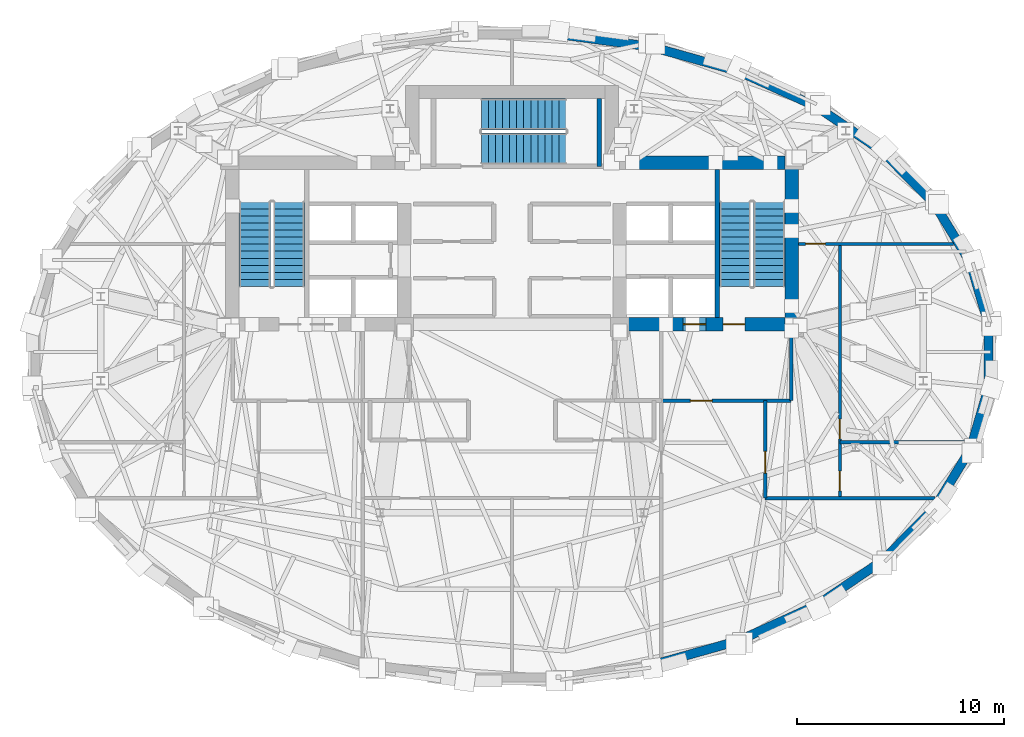
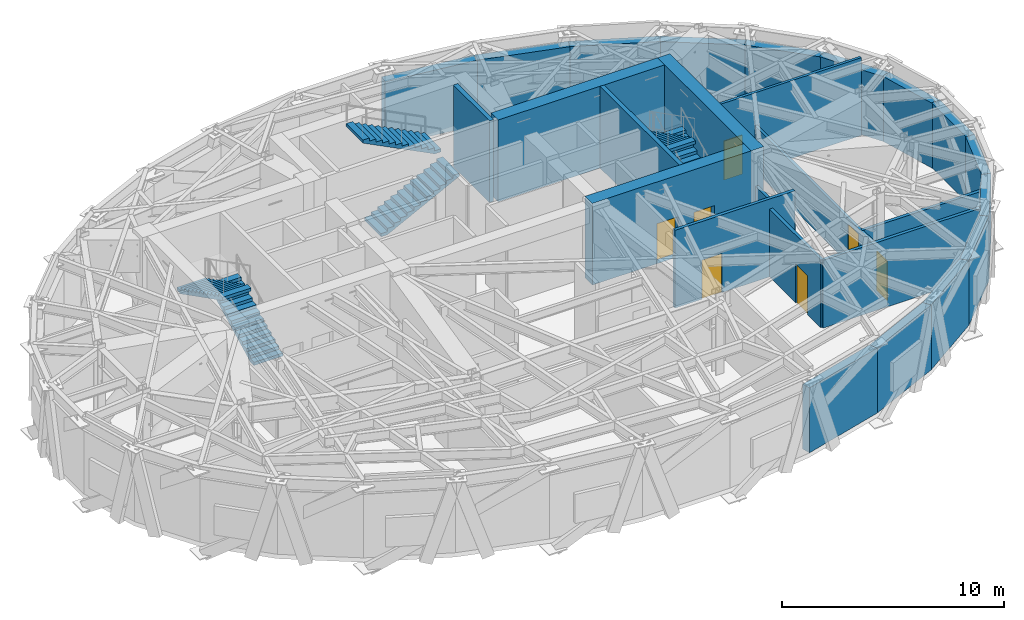
# One storey, part 8 of 12: 26 walls, 7 doors, 6 stair flights, 7 openings, 3 elements without a shape of their own.
"""IFC4 building model written with IfcOpenShell, lengths in metres."""

from ifc_helpers import new_model, si_unit, direction, frame, frame_2d, origin, place, context, subcontext, project, spatial, polyline, rectangle, outline, extrude, material, layer, layer_set, type_object, element, fill, aggregate, save


model = new_model("IFC4")

# Units and contexts
model_context = context("Model", 3, precision=1e-05, world=origin(), true_north=direction((0.0, 1.0)))
body_context = subcontext(model_context, "Body", "Model", "MODEL_VIEW")
ifc_project = project(units=[si_unit("LENGTHUNIT", "METRE"), si_unit("AREAUNIT", "SQUARE_METRE"), si_unit("VOLUMEUNIT", "CUBIC_METRE"), si_unit("PLANEANGLEUNIT", "RADIAN"), si_unit("MASSUNIT", "GRAM", prefix="KILO")], contexts=[model_context])

# Site, building, storey
site_placement = place(None, origin())
site = spatial("IfcSite", under=ifc_project, at=site_placement, CompositionType="ELEMENT")
building_placement = place(site_placement, origin())
building = spatial("IfcBuilding", under=site, at=building_placement, Name="Keldmark Tower", CompositionType="ELEMENT")
storey_placement = place(building_placement, frame((0.0, 0.0, 201.39990234375)))
storey = spatial("IfcBuildingStorey", under=building, at=storey_placement, Name="L56", CompositionType="ELEMENT", Elevation=201.39990234375)

# Wall, openings, doors
ifc_material_1 = material(Name="Acoustic Double-Layer Gypsum Corridor Partition", Category="gypsum")
ifc_layer_1 = layer(ifc_material_1, 0.139892578125)
ifc_layer_set_1 = layer_set([ifc_layer_1], Name="Acoustic Double-Layer Gypsum Corridor Partition")
wall_type_1 = type_object("IfcWallType", Name="Acoustic Corridor Partition 140 mm", PredefinedType="PARTITIONING", material=ifc_layer_set_1)
wall_1_placement = place(storey_placement, frame((15.800048828125, -6.85009765625, 0.0), z_axis=(0.0, 0.0, 1.0), x_axis=(0.0, 1.0, 0.0)))
wall_1 = element("IfcWall", 1, at=wall_1_placement, inside=storey, type_object=wall_type_1, Name="L56 Acoustic Corridor Partition 140 mm PCOR-E", PredefinedType="PARTITIONING", context=body_context, shape_type="SweptSolid", body=[
    extrude(rectangle(XDim=12.25, YDim=0.139892578125, at=frame_2d((6.125, 0.0))), origin(), (0.0, 0.0, 1.0), 2.47021484375),
])
opening_1_placement = place(wall_1_placement, frame((0.35009765625, 0.0, 0.0)))
opening_1 = element("IfcOpeningElement", 2, at=opening_1_placement, cuts=wall_1, Name="Opening D-AWC95", PredefinedType="OPENING", context=body_context, shape_type="SweptSolid", body=[
    extrude(rectangle(XDim=0.949951171875, YDim=2.14990234375, at=frame_2d((0.47509765625, 1.074951171875))), frame((0.0, 0.079833984375, 0.0), z_axis=(0.0, -1.0, 0.0), x_axis=(1.0, 0.0, 0.0)), (0.0, 0.0, 1.0), 0.159912109375),
])
opening_2_placement = place(wall_1_placement, frame((2.860107421875, 0.0, 0.0)))
opening_2 = element("IfcOpeningElement", 3, at=opening_2_placement, cuts=wall_1, Name="Opening D-AWC95", PredefinedType="OPENING", context=body_context, shape_type="SweptSolid", body=[
    extrude(rectangle(XDim=0.949951171875, YDim=2.14990234375, at=frame_2d((0.47509765625, 1.074951171875))), frame((0.0, 0.079833984375, 0.0), z_axis=(0.0, -1.0, 0.0), x_axis=(1.0, 0.0, 0.0)), (0.0, 0.0, 1.0), 0.159912109375),
])
ifc_material_2 = material(Name="Painted Solid-Core Architectural Wood", Category="wood")
door_type_1 = type_object("IfcDoorType", Name="Accessible WC Door 950x2150", OperationType="NOTDEFINED", PredefinedType="DOOR", material=ifc_material_2)
door_1_placement = place(opening_1_placement, origin())
door_1 = element("IfcDoor", 4, at=door_1_placement, inside=storey, type_object=door_type_1, Name="L56 Accessible WC Door 950x2150 D-PLE1-L56", OperationType="SINGLE_SWING_RIGHT", OverallHeight=2.14990234375, OverallWidth=0.949951171875, PredefinedType="DOOR", context=body_context, shape_type="SweptSolid", body=[
    extrude(rectangle(XDim=0.949951171875, YDim=2.14990234375, at=frame_2d((0.47509765625, 1.074951171875))), frame((0.0, 0.02490234375, 0.0), z_axis=(0.0, -1.0, 0.0), x_axis=(1.0, 0.0, 0.0)), (0.0, 0.0, 1.0), 0.050048828125),
])
fill(opening_1, door_1)
door_2_placement = place(opening_2_placement, origin())
door_2 = element("IfcDoor", 5, at=door_2_placement, inside=storey, type_object=door_type_1, Name="L56 Accessible WC Door 950x2150 D-PLE2-L56", OperationType="SINGLE_SWING_RIGHT", OverallHeight=2.14990234375, OverallWidth=0.949951171875, PredefinedType="DOOR", context=body_context, shape_type="SweptSolid", body=[
    extrude(rectangle(XDim=0.949951171875, YDim=2.14990234375, at=frame_2d((0.47509765625, 1.074951171875))), frame((0.0, 0.02490234375, 0.0), z_axis=(0.0, -1.0, 0.0), x_axis=(1.0, 0.0, 0.0)), (0.0, 0.0, 1.0), 0.050048828125),
])
fill(opening_2, door_2)

# Wall, opening, door
wall_2_placement = place(storey_placement, frame((13.800048828125, 5.39990234375, 0.0), z_axis=(0.0, 0.0, 1.0), x_axis=(1.0, 0.0, 0.0)))
wall_2 = element("IfcWall", 6, at=wall_2_placement, inside=storey, type_object=wall_type_1, Name="L56 Acoustic Corridor Partition 140 mm PCOR-EN", PredefinedType="PARTITIONING", context=body_context, shape_type="SweptSolid", body=[
    extrude(rectangle(XDim=7.474853515625, YDim=0.139892578125, at=frame_2d((3.7373046875, 0.0))), origin(), (0.0, 0.0, 1.0), 4.280029296875),
])
opening_3_placement = place(wall_2_placement, frame((0.35009765625, 0.0, 0.0)))
opening_3 = element("IfcOpeningElement", 7, at=opening_3_placement, cuts=wall_2, Name="Opening D-AWC95", PredefinedType="OPENING", context=body_context, shape_type="SweptSolid", body=[
    extrude(rectangle(XDim=0.949951171875, YDim=2.14990234375, at=frame_2d((0.47509765625, 1.074951171875))), frame((0.0, 0.079833984375, 0.0), z_axis=(0.0, -1.0, 0.0), x_axis=(1.0, 0.0, 0.0)), (0.0, 0.0, 1.0), 0.159912109375),
])
door_3_placement = place(opening_3_placement, origin())
door_3 = element("IfcDoor", 8, at=door_3_placement, inside=storey, type_object=door_type_1, Name="L56 Accessible WC Door 950x2150 D-NRNE-L56", OperationType="SINGLE_SWING_RIGHT", OverallHeight=2.14990234375, OverallWidth=0.949951171875, PredefinedType="DOOR", context=body_context, shape_type="SweptSolid", body=[
    extrude(rectangle(XDim=0.949951171875, YDim=2.14990234375, at=frame_2d((0.47509765625, 1.074951171875))), frame((0.0, 0.02490234375, 0.0), z_axis=(0.0, -1.0, 0.0), x_axis=(1.0, 0.0, 0.0)), (0.0, 0.0, 1.0), 0.050048828125),
])
fill(opening_3, door_3)

ifc_material_3 = material(Name="Type X Fire-Rated Gypsum Partition Assembly", Category="gypsum")
ifc_layer_2 = layer(ifc_material_3, 0.1650390625)
ifc_layer_set_2 = layer_set([ifc_layer_2], Name="Type X Fire-Rated Gypsum Partition Assembly")
wall_type_2 = type_object("IfcWallType", Name="Rated Partition 165 mm", PredefinedType="PARTITIONING", material=ifc_layer_set_2)
wall_3_placement = place(storey_placement, frame((7.199951171875, -2.14990234375, 0.0), z_axis=(0.0, 0.0, 1.0), x_axis=(1.0, 0.0, 0.0)))
wall_3 = element("IfcWall", 9, at=wall_3_placement, inside=storey, type_object=wall_type_2, Name="L56 Rated Partition 165 mm FSAE-E-S", PredefinedType="PARTITIONING", context=body_context, shape_type="SweptSolid", body=[
    extrude(rectangle(XDim=6.25, YDim=0.1650390625, at=frame_2d((3.125, 0.0))), origin(), (0.0, 0.0, 1.0), 4.280029296875),
])
opening_4_placement = place(wall_3_placement, frame((1.39990234375, 0.0, 0.0)))
opening_4 = element("IfcOpeningElement", 10, at=opening_4_placement, cuts=wall_3, Name="Opening D-FL105", PredefinedType="OPENING", context=body_context, shape_type="SweptSolid", body=[
    extrude(rectangle(XDim=1.050048828125, YDim=2.14990234375, at=frame_2d((0.52490234375, 1.074951171875))), frame((0.0, 0.092529296875, 0.0), z_axis=(0.0, -1.0, 0.0), x_axis=(1.0, 0.0, 0.0)), (0.0, 0.0, 1.0), 0.18505859375),
])
ifc_material_4 = material(Name="Fire-Rated Mineral-Core Door and Vision Lite", Category="metal")
door_type_2 = type_object("IfcDoorType", Name="Fire Lobby Door 1050x2150", OperationType="NOTDEFINED", PredefinedType="DOOR", material=ifc_material_4)
door_4_placement = place(opening_4_placement, origin())
door_4 = element("IfcDoor", 11, at=door_4_placement, inside=storey, type_object=door_type_2, Name="L56 Fire Lobby Door 1050x2150 D-REFE-FSAE-L56", OperationType="SINGLE_SWING_RIGHT", OverallHeight=2.14990234375, OverallWidth=1.050048828125, PredefinedType="DOOR", context=body_context, shape_type="SweptSolid", body=[
    extrude(rectangle(XDim=1.050048828125, YDim=2.14990234375, at=frame_2d((0.52490234375, 1.074951171875))), frame((0.0, 0.02490234375, 0.0), z_axis=(0.0, -1.0, 0.0), x_axis=(1.0, 0.0, 0.0)), (0.0, 0.0, 1.0), 0.050048828125),
])
fill(opening_4, door_4)

# Wall
wall_4_placement = place(storey_placement, frame((13.449951171875, -2.14990234375, 0.0), z_axis=(0.0, 0.0, 1.0), x_axis=(0.0, 1.0, 0.0)))
element("IfcWall", 12, at=wall_4_placement, inside=storey, type_object=wall_type_2, Name="L56 Rated Partition 165 mm FSAE-E-E", PredefinedType="PARTITIONING", context=body_context, shape_type="SweptSolid", body=[
    extrude(rectangle(XDim=3.39990234375, YDim=0.1650390625, at=frame_2d((1.699951171875, 0.0))), origin(), (0.0, 0.0, 1.0), 2.47021484375),
])

# Wall, opening, door
wall_5_placement = place(storey_placement, frame((12.199951171875, -6.85009765625, 0.0), z_axis=(0.0, 0.0, 1.0), x_axis=(0.0, 1.0, 0.0)))
wall_5 = element("IfcWall", 13, at=wall_5_placement, inside=storey, type_object=wall_type_2, Name="L56 Rated Partition 165 mm REF-ET-E", PredefinedType="PARTITIONING", context=body_context, shape_type="SweptSolid", body=[
    extrude(rectangle(XDim=4.7001953125, YDim=0.1650390625, at=frame_2d((2.35009765625, 0.0))), origin(), (0.0, 0.0, 1.0), 3.733154296875),
])
opening_5_placement = place(wall_5_placement, frame((1.199951171875, 0.0, 0.0)))
opening_5 = element("IfcOpeningElement", 14, at=opening_5_placement, cuts=wall_5, Name="Opening D-FL105", PredefinedType="OPENING", context=body_context, shape_type="SweptSolid", body=[
    extrude(rectangle(XDim=1.050048828125, YDim=2.14990234375, at=frame_2d((0.52490234375, 1.074951171875))), frame((0.0, 0.092529296875, 0.0), z_axis=(0.0, -1.0, 0.0), x_axis=(1.0, 0.0, 0.0)), (0.0, 0.0, 1.0), 0.18505859375),
])
door_5_placement = place(opening_5_placement, origin())
door_5 = element("IfcDoor", 15, at=door_5_placement, inside=storey, type_object=door_type_2, Name="L56 Fire Lobby Door 1050x2150 D-REFE-CORE-L56", OperationType="SINGLE_SWING_RIGHT", OverallHeight=2.14990234375, OverallWidth=1.050048828125, PredefinedType="DOOR", context=body_context, shape_type="SweptSolid", body=[
    extrude(rectangle(XDim=1.050048828125, YDim=2.14990234375, at=frame_2d((0.52490234375, 1.074951171875))), frame((0.0, 0.02490234375, 0.0), z_axis=(0.0, -1.0, 0.0), x_axis=(1.0, 0.0, 0.0)), (0.0, 0.0, 1.0), 0.050048828125),
])
fill(opening_5, door_5)

# Walls
wall_6_placement = place(storey_placement, frame((12.199951171875, -6.85009765625, 0.0), z_axis=(0.0, 0.0, 1.0), x_axis=(1.0, 0.0, 0.0)))
element("IfcWall", 16, at=wall_6_placement, inside=storey, type_object=wall_type_2, Name="L56 Rated Partition 165 mm REF-CAP-E", PredefinedType="PARTITIONING", context=body_context, shape_type="SweptSolid", body=[
    extrude(rectangle(XDim=8.189208984375, YDim=0.1650390625, at=frame_2d((4.0947265625, 0.0))), origin(), (0.0, 0.0, 1.0), 3.733154296875),
])
wall_7_placement = place(storey_placement, frame((15.800048828125, -4.14990234375, 0.0), z_axis=(0.0, 0.0, 1.0), x_axis=(1.0, 0.0, 0.0)))
element("IfcWall", 17, at=wall_7_placement, inside=storey, type_object=wall_type_2, Name="L56 Rated Partition 165 mm EPL-DIV", PredefinedType="PARTITIONING", context=body_context, shape_type="SweptSolid", body=[
    extrude(rectangle(XDim=6.157958984375, YDim=0.1650390625, at=frame_2d((3.0791015625, 0.0))), origin(), (0.0, 0.0, 1.0), 2.47021484375),
])
ifc_material_5 = material(Name="Concrete C50/60", Category="concrete")
ifc_layer_3 = layer(ifc_material_5, 0.219970703125)
ifc_layer_set_3 = layer_set([ifc_layer_3], Name="Concrete C50/60")
wall_type_3 = type_object("IfcWallType", Name="Stair Core Shear Wall 220 mm", PredefinedType="SHEAR", material=ifc_layer_set_3)
wall_8_placement = place(storey_placement, frame((9.889892578125, 1.85009765625, 0.0), z_axis=(0.0, 0.0, 1.0), x_axis=(0.0, 1.0, 0.0)))
element("IfcWall", 18, at=wall_8_placement, inside=storey, type_object=wall_type_3, Name="L56 East Stair Core Shear Wall", PredefinedType="SHEAR", context=body_context, shape_type="SweptSolid", body=[
    extrude(rectangle(XDim=7.14990234375, YDim=0.219970703125, at=frame_2d((3.574951171875, 0.0))), origin(), (0.0, 0.0, 1.0), 4.5),
])
wall_9_placement = place(storey_placement, frame((4.215087890625, 9.139892578125, 0.0), z_axis=(0.0, 0.0, 1.0), x_axis=(0.0, 1.0, 0.0)))
element("IfcWall", 19, at=wall_9_placement, inside=storey, type_object=wall_type_3, Name="L56 Central Stair Core East Shear Wall", PredefinedType="SHEAR", context=body_context, shape_type="SweptSolid", body=[
    extrude(rectangle(XDim=3.260009765625, YDim=0.219970703125, at=frame_2d((1.6298828125, 0.0))), origin(), (0.0, 0.0, 1.0), 4.5),
])
ifc_material_6 = material(Name="Ironspot Manganese Brick and Kasota Buff Limestone Spandrel Assembly", Category="masonry")
ifc_layer_4 = layer(ifc_material_6, 0.43994140625)
ifc_layer_set_4 = layer_set([ifc_layer_4], Name="Ironspot Manganese Brick and Kasota Buff Limestone Spandrel Assembly")
wall_type_4 = type_object("IfcWallType", Name="Tower Brick Pier and Spandrel Wall 440 mm", PredefinedType="STANDARD", material=ifc_layer_set_4)
wall_10_placement = place(storey_placement, frame((22.085693359375, 4.524658203125, 0.0), z_axis=(0.0, 0.0, 1.0), x_axis=(0.281477355005, -0.959567870773, 0.0)))
element("IfcWall", 20, at=wall_10_placement, inside=storey, type_object=wall_type_4, Name="L56 Exterior Brick and Spandrel Wall 01", PredefinedType="STANDARD", context=body_context, shape_type="SweptSolid", body=[
    extrude(rectangle(XDim=3.165771484375, YDim=0.43994140625, at=frame_2d((1.5830078125, 0.0))), origin(), (0.0, 0.0, 1.0), 3.5751953125),
])
wall_11_placement = place(storey_placement, frame((20.361083984375, 7.33349609375, 0.0), z_axis=(0.0, 0.0, 1.0), x_axis=(0.521214394333, -0.853425775999, 0.0)))
element("IfcWall", 21, at=wall_11_placement, inside=storey, type_object=wall_type_4, Name="L56 Exterior Brick and Spandrel Wall 02", PredefinedType="STANDARD", context=body_context, shape_type="SweptSolid", body=[
    extrude(rectangle(XDim=3.353271484375, YDim=0.43994140625, at=frame_2d((1.6767578125, 0.0))), origin(), (0.0, 0.0, 1.0), 3.5751953125),
])
wall_12_placement = place(storey_placement, frame((17.8544921875, 9.868896484375, 0.0), z_axis=(0.0, 0.0, 1.0), x_axis=(0.701887992659, -0.712287333708, 0.0)))
element("IfcWall", 22, at=wall_12_placement, inside=storey, type_object=wall_type_4, Name="L56 Exterior Brick and Spandrel Wall 03", PredefinedType="STANDARD", context=body_context, shape_type="SweptSolid", body=[
    extrude(rectangle(XDim=3.615478515625, YDim=0.43994140625, at=frame_2d((1.8076171875, 0.0))), origin(), (0.0, 0.0, 1.0), 3.5751953125),
])
wall_13_placement = place(storey_placement, frame((14.657958984375, 12.031494140625, 0.0), z_axis=(0.0, 0.0, 1.0), x_axis=(0.827644957237, -0.561252015373, 0.0)))
element("IfcWall", 23, at=wall_13_placement, inside=storey, type_object=wall_type_4, Name="L56 Exterior Brick and Spandrel Wall 04", PredefinedType="STANDARD", context=body_context, shape_type="SweptSolid", body=[
    extrude(rectangle(XDim=3.90234375, YDim=0.43994140625, at=frame_2d((1.951171875, 0.0))), origin(), (0.0, 0.0, 1.0), 3.5751953125),
])
wall_14_placement = place(storey_placement, frame((10.892578125, 13.73388671875, 0.0), z_axis=(0.0, 0.0, 1.0), x_axis=(0.910881102331, -0.412668895624, 0.0)))
element("IfcWall", 24, at=wall_14_placement, inside=storey, type_object=wall_type_4, Name="L56 Exterior Brick and Spandrel Wall 05", PredefinedType="STANDARD", context=body_context, shape_type="SweptSolid", body=[
    extrude(rectangle(XDim=4.169677734375, YDim=0.43994140625, at=frame_2d((2.0849609375, 0.0))), origin(), (0.0, 0.0, 1.0), 3.5751953125),
])
wall_15_placement = place(storey_placement, frame((6.7041015625, 14.907958984375, 0.0), z_axis=(0.0, 0.0, 1.0), x_axis=(0.962743881764, -0.270414899969, 0.0)))
element("IfcWall", 25, at=wall_15_placement, inside=storey, type_object=wall_type_4, Name="L56 Exterior Brick and Spandrel Wall 06", PredefinedType="STANDARD", context=body_context, shape_type="SweptSolid", body=[
    extrude(rectangle(XDim=4.38330078125, YDim=0.43994140625, at=frame_2d((2.191650390625, 0.0))), origin(), (0.0, 0.0, 1.0), 3.5751953125),
])
wall_16_placement = place(storey_placement, frame((2.25439453125, 15.505859375, 0.0), z_axis=(0.0, 0.0, 1.0), x_axis=(0.991025333234, -0.133674189316, 0.0)))
element("IfcWall", 26, at=wall_16_placement, inside=storey, type_object=wall_type_4, Name="L56 Exterior Brick and Spandrel Wall 07", PredefinedType="STANDARD", context=body_context, shape_type="SweptSolid", body=[
    extrude(rectangle(XDim=4.520263671875, YDim=0.43994140625, at=frame_2d((2.26025390625, 0.0))), origin(), (0.0, 0.0, 1.0), 3.5751953125),
])
wall_17_placement = place(storey_placement, frame((10.924072265625, -13.72265625, 0.0), z_axis=(0.0, 0.0, 1.0), x_axis=(-0.962743881764, -0.270414899969, 0.0)))
element("IfcWall", 27, at=wall_17_placement, inside=storey, type_object=wall_type_4, Name="L56 Exterior Brick and Spandrel Wall 26", PredefinedType="STANDARD", context=body_context, shape_type="SweptSolid", body=[
    extrude(rectangle(XDim=4.38330078125, YDim=0.43994140625, at=frame_2d((2.191650390625, 0.0))), origin(), (0.0, 0.0, 1.0), 3.5751953125),
])
wall_18_placement = place(storey_placement, frame((14.690673828125, -12.01318359375, 0.0), z_axis=(0.0, 0.0, 1.0), x_axis=(-0.910881102331, -0.412668895624, 0.0)))
element("IfcWall", 28, at=wall_18_placement, inside=storey, type_object=wall_type_4, Name="L56 Exterior Brick and Spandrel Wall 27", PredefinedType="STANDARD", context=body_context, shape_type="SweptSolid", body=[
    extrude(rectangle(XDim=4.169677734375, YDim=0.43994140625, at=frame_2d((2.0849609375, 0.0))), origin(), (0.0, 0.0, 1.0), 3.5751953125),
])
wall_19_placement = place(storey_placement, frame((17.8876953125, -9.84130859375, 0.0), z_axis=(0.0, 0.0, 1.0), x_axis=(-0.827644957237, -0.561252015373, 0.0)))
element("IfcWall", 29, at=wall_19_placement, inside=storey, type_object=wall_type_4, Name="L56 Exterior Brick and Spandrel Wall 28", PredefinedType="STANDARD", context=body_context, shape_type="SweptSolid", body=[
    extrude(rectangle(XDim=3.90234375, YDim=0.43994140625, at=frame_2d((1.951171875, 0.0))), origin(), (0.0, 0.0, 1.0), 3.5751953125),
])
wall_20_placement = place(storey_placement, frame((20.39208984375, -7.293701171875, 0.0), z_axis=(0.0, 0.0, 1.0), x_axis=(-0.701887992659, -0.712287333708, 0.0)))
element("IfcWall", 30, at=wall_20_placement, inside=storey, type_object=wall_type_4, Name="L56 Exterior Brick and Spandrel Wall 29", PredefinedType="STANDARD", context=body_context, shape_type="SweptSolid", body=[
    extrude(rectangle(XDim=3.615478515625, YDim=0.43994140625, at=frame_2d((1.8076171875, 0.0))), origin(), (0.0, 0.0, 1.0), 3.5751953125),
])
wall_21_placement = place(storey_placement, frame((22.10888671875, -4.4716796875, 0.0), z_axis=(0.0, 0.0, 1.0), x_axis=(-0.521214394333, -0.853425775999, 0.0)))
element("IfcWall", 31, at=wall_21_placement, inside=storey, type_object=wall_type_4, Name="L56 Exterior Brick and Spandrel Wall 30", PredefinedType="STANDARD", context=body_context, shape_type="SweptSolid", body=[
    extrude(rectangle(XDim=3.353271484375, YDim=0.43994140625, at=frame_2d((1.6767578125, 0.0))), origin(), (0.0, 0.0, 1.0), 3.5751953125),
])
wall_22_placement = place(storey_placement, frame((22.976806640625, -1.48681640625, 0.0), z_axis=(0.0, 0.0, 1.0), x_axis=(-0.281477355005, -0.959567870773, 0.0)))
element("IfcWall", 32, at=wall_22_placement, inside=storey, type_object=wall_type_4, Name="L56 Exterior Brick and Spandrel Wall 31", PredefinedType="STANDARD", context=body_context, shape_type="SweptSolid", body=[
    extrude(rectangle(XDim=3.165771484375, YDim=0.43994140625, at=frame_2d((1.5830078125, 0.0))), origin(), (0.0, 0.0, 1.0), 3.5751953125),
])
wall_23_placement = place(storey_placement, frame((22.9677734375, 1.548583984375, 0.0), z_axis=(0.0, 0.0, 1.0), x_axis=(0.0, -1.0, 0.0)))
element("IfcWall", 33, at=wall_23_placement, inside=storey, type_object=wall_type_4, Name="L56 Exterior Brick and Spandrel Wall 32", PredefinedType="STANDARD", context=body_context, shape_type="SweptSolid", body=[
    extrude(rectangle(XDim=3.09716796875, YDim=0.43994140625, at=frame_2d((1.548583984375, 0.0))), origin(), (0.0, 0.0, 1.0), 3.5751953125),
])
ifc_material_7 = material(Name="Concrete C50/60", Category="concrete")
ifc_layer_5 = layer(ifc_material_7, 0.64990234375)
ifc_layer_set_5 = layer_set([ifc_layer_5], Name="Concrete C50/60")
wall_type_5 = type_object("IfcWallType", Name="Upper-Mid Core Shear Wall 650 mm", PredefinedType="SHEAR", material=ifc_layer_set_5)
wall_24_placement = place(storey_placement, frame((13.47509765625, 1.199951171875, 0.0), z_axis=(0.0, 0.0, 1.0), x_axis=(0.0, 1.0, 0.0)))
element("IfcWall", 34, at=wall_24_placement, inside=storey, type_object=wall_type_5, Name="L56 East Core Outer Shear Wall", PredefinedType="SHEAR", context=body_context, shape_type="SweptSolid", body=[
    extrude(rectangle(XDim=8.449951171875, YDim=0.64990234375, at=frame_2d((4.22509765625, 0.0))), origin(), (0.0, 0.0, 1.0), 4.5),
])
wall_25_placement = place(storey_placement, frame((4.47509765625, 9.324951171875, 0.0), z_axis=(0.0, 0.0, 1.0), x_axis=(1.0, 0.0, 0.0)))
element("IfcWall", 35, at=wall_25_placement, inside=storey, type_object=wall_type_5, Name="L56 East Core North Shear Wall", PredefinedType="SHEAR", context=body_context, shape_type="SweptSolid", body=[
    extrude(rectangle(XDim=9.324951171875, YDim=0.64990234375, at=frame_2d((4.66259765625, 0.0))), origin(), (0.0, 0.0, 1.0), 4.5),
])

# Wall, openings, doors
wall_26_placement = place(storey_placement, frame((13.800048828125, 1.52490234375, 0.0), z_axis=(0.0, 0.0, 1.0), x_axis=(-1.0, 0.0, 0.0)))
wall_26 = element("IfcWall", 36, at=wall_26_placement, inside=storey, type_object=wall_type_5, Name="L56 East Core South Shear Wall", PredefinedType="SHEAR", context=body_context, shape_type="SweptSolid", body=[
    extrude(rectangle(XDim=8.925048828125, YDim=0.64990234375, at=frame_2d((4.46240234375, 0.0))), origin(), (0.0, 0.0, 1.0), 4.5),
])
opening_6_placement = place(wall_26_placement, frame((2.570068359375, 0.0, 0.0)))
opening_6 = element("IfcOpeningElement", 37, at=opening_6_placement, cuts=wall_26, Name="Opening D-ST105", PredefinedType="OPENING", context=body_context, shape_type="SweptSolid", body=[
    extrude(rectangle(XDim=1.050048828125, YDim=2.14990234375, at=frame_2d((0.52490234375, 1.074951171875))), frame((0.0, 0.3349609375, 0.0), z_axis=(0.0, -1.0, 0.0), x_axis=(1.0, 0.0, 0.0)), (0.0, 0.0, 1.0), 0.669921875),
])
opening_7_placement = place(wall_26_placement, frame((4.449951171875, 0.0, 0.0)))
opening_7 = element("IfcOpeningElement", 38, at=opening_7_placement, cuts=wall_26, Name="Opening LD-110", PredefinedType="OPENING", context=body_context, shape_type="SweptSolid", body=[
    extrude(rectangle(XDim=1.10009765625, YDim=2.199951171875, at=frame_2d((0.550048828125, 1.10009765625))), frame((0.0, 0.3349609375, 0.0), z_axis=(0.0, -1.0, 0.0), x_axis=(1.0, 0.0, 0.0)), (0.0, 0.0, 1.0), 0.669921875),
])
ifc_material_8 = material(Name="Brushed Bronze Hoistway Sliding Leaf", Category="metal")
door_type_3 = type_object("IfcDoorType", Name="Lift Landing Sliding Door 1100x2200", OperationType="SLIDING_TO_LEFT", PredefinedType="DOOR", material=ifc_material_8)
door_6_placement = place(opening_7_placement, origin())
door_6 = element("IfcDoor", 39, at=door_6_placement, inside=storey, type_object=door_type_3, Name="L56 Lift Landing Sliding Door 1100x2200 LD-EL-FS2-L56", OperationType="SLIDING_TO_LEFT", OverallHeight=2.199951171875, OverallWidth=1.10009765625, PredefinedType="DOOR", context=body_context, shape_type="SweptSolid", body=[
    extrude(rectangle(XDim=1.10009765625, YDim=2.199951171875, at=frame_2d((0.550048828125, 1.10009765625))), frame((0.0, 0.02490234375, 0.0), z_axis=(0.0, -1.0, 0.0), x_axis=(1.0, 0.0, 0.0)), (0.0, 0.0, 1.0), 0.050048828125),
])
fill(opening_7, door_6)
ifc_material_9 = material(Name="Hollow Metal Fire-Rated Door Assembly", Category="metal")
door_type_4 = type_object("IfcDoorType", Name="Stair Fire Door 1050x2150", OperationType="NOTDEFINED", PredefinedType="DOOR", material=ifc_material_9)
door_7_placement = place(opening_6_placement, origin())
door_7 = element("IfcDoor", 40, at=door_7_placement, inside=storey, type_object=door_type_4, Name="L56 Stair Fire Door 1050x2150 D-ST2-L56", OperationType="SINGLE_SWING_LEFT", OverallHeight=2.14990234375, OverallWidth=1.050048828125, PredefinedType="DOOR", context=body_context, shape_type="SweptSolid", body=[
    extrude(rectangle(XDim=1.050048828125, YDim=2.14990234375, at=frame_2d((0.52490234375, 1.074951171875))), frame((0.0, 0.02490234375, 0.0), z_axis=(0.0, -1.0, 0.0), x_axis=(1.0, 0.0, 0.0)), (0.0, 0.0, 1.0), 0.050048828125),
])
fill(opening_6, door_7)

# Stair, stair flights
ifc_material_10 = material(Name="Concrete C40/50", Category="concrete")
stair_type = type_object("IfcStairType", Name="Precast Concrete Core Exit Stair", PredefinedType="HALF_TURN_STAIR", material=ifc_material_10)
stair_1_placement = place(storey_placement, origin())
stair_1 = element("IfcStair", 41, at=stair_1_placement, inside=storey, type_object=stair_type, Name="L56 Exit Stair ST1", PredefinedType="HALF_TURN_STAIR")
ifc_material_11 = material(Name="Concrete C40/50", Category="concrete")
stair_flight_type = type_object("IfcStairFlightType", Name="Precast Concrete Stair Flight 1500 mm", PredefinedType="STRAIGHT", material=ifc_material_11)
stair_flight_1_placement = place(storey_placement, frame((-10.75, 3.35009765625, 0.0), z_axis=(0.0, 0.0, 1.0), x_axis=(0.0, 1.0, 0.0)))
stair_flight_1 = element("IfcStairFlight", 42, at=stair_flight_1_placement, type_object=stair_flight_type, Name="ST1 flight 1", NumberOfRisers=13, NumberOfTreads=12, PredefinedType="STRAIGHT", RiserHeight=0.173076923, TreadLength=0.34, context=body_context, shape_type="SweptSolid", body=[
    extrude(outline(polyline([(0.0, 0.0), (0.0, 0.173095703125), (0.340087890625, 0.173095703125), (0.340087890625, 0.34619140625), (0.679931640625, 0.34619140625), (0.679931640625, 0.519287109375), (1.02001953125, 0.519287109375), (1.02001953125, 0.6923828125), (1.360107421875, 0.6923828125), (1.360107421875, 0.865478515625), (1.699951171875, 0.865478515625), (1.699951171875, 1.03857421875), (2.0400390625, 1.03857421875), (2.0400390625, 1.21142578125), (2.3798828125, 1.21142578125), (2.3798828125, 1.384521484375), (2.719970703125, 1.384521484375), (2.719970703125, 1.5576171875), (3.06005859375, 1.5576171875), (3.06005859375, 1.730712890625), (3.39990234375, 1.730712890625), (3.39990234375, 1.90380859375), (3.739990234375, 1.90380859375), (3.739990234375, 2.076904296875), (4.080078125, 2.076904296875), (4.080078125, 2.25), (4.080078125, 1.90869140625), (0.330322265625, 0.0), (0.0, 0.0)])), frame((0.0, 0.75, 0.0), z_axis=(0.0, -1.0, 0.0), x_axis=(1.0, 0.0, 0.0)), (0.0, 0.0, 1.0), 1.5),
])
stair_flight_2_placement = place(storey_placement, frame((-12.39990234375, 7.429931640625, 2.25), z_axis=(0.0, 0.0, 1.0), x_axis=(0.0, -1.0, 0.0)))
stair_flight_2 = element("IfcStairFlight", 43, at=stair_flight_2_placement, type_object=stair_flight_type, Name="ST1 flight 2", NumberOfRisers=13, NumberOfTreads=12, PredefinedType="STRAIGHT", RiserHeight=0.173076923, TreadLength=0.34, context=body_context, shape_type="SweptSolid", body=[
    extrude(outline(polyline([(0.0, 0.0), (0.0, 0.173095703125), (0.340087890625, 0.173095703125), (0.340087890625, 0.34619140625), (0.679931640625, 0.34619140625), (0.679931640625, 0.519287109375), (1.02001953125, 0.519287109375), (1.02001953125, 0.6923828125), (1.360107421875, 0.6923828125), (1.360107421875, 0.865478515625), (1.699951171875, 0.865478515625), (1.699951171875, 1.03857421875), (2.0400390625, 1.03857421875), (2.0400390625, 1.21142578125), (2.3798828125, 1.21142578125), (2.3798828125, 1.384521484375), (2.719970703125, 1.384521484375), (2.719970703125, 1.5576171875), (3.06005859375, 1.5576171875), (3.06005859375, 1.730712890625), (3.39990234375, 1.730712890625), (3.39990234375, 1.90380859375), (3.739990234375, 1.90380859375), (3.739990234375, 2.076904296875), (4.080078125, 2.076904296875), (4.080078125, 2.25), (4.080078125, 1.90869140625), (0.330322265625, 0.0), (0.0, 0.0)])), frame((0.0, 0.75, 0.0), z_axis=(0.0, -1.0, 0.0), x_axis=(1.0, 0.0, 0.0)), (0.0, 0.0, 1.0), 1.5),
])
aggregate(stair_1, [stair_flight_1, stair_flight_2])

stair_2_placement = place(storey_placement, origin())
stair_2 = element("IfcStair", 44, at=stair_2_placement, inside=storey, type_object=stair_type, Name="L56 Exit Stair ST2", PredefinedType="HALF_TURN_STAIR")
stair_flight_3_placement = place(storey_placement, frame((12.39990234375, 3.35009765625, 0.0), z_axis=(0.0, 0.0, 1.0), x_axis=(0.0, 1.0, 0.0)))
stair_flight_3 = element("IfcStairFlight", 45, at=stair_flight_3_placement, type_object=stair_flight_type, Name="ST2 flight 1", NumberOfRisers=13, NumberOfTreads=12, PredefinedType="STRAIGHT", RiserHeight=0.173076923, TreadLength=0.34, context=body_context, shape_type="SweptSolid", body=[
    extrude(outline(polyline([(0.0, 0.0), (0.0, 0.173095703125), (0.340087890625, 0.173095703125), (0.340087890625, 0.34619140625), (0.679931640625, 0.34619140625), (0.679931640625, 0.519287109375), (1.02001953125, 0.519287109375), (1.02001953125, 0.6923828125), (1.360107421875, 0.6923828125), (1.360107421875, 0.865478515625), (1.699951171875, 0.865478515625), (1.699951171875, 1.03857421875), (2.0400390625, 1.03857421875), (2.0400390625, 1.21142578125), (2.3798828125, 1.21142578125), (2.3798828125, 1.384521484375), (2.719970703125, 1.384521484375), (2.719970703125, 1.5576171875), (3.06005859375, 1.5576171875), (3.06005859375, 1.730712890625), (3.39990234375, 1.730712890625), (3.39990234375, 1.90380859375), (3.739990234375, 1.90380859375), (3.739990234375, 2.076904296875), (4.080078125, 2.076904296875), (4.080078125, 2.25), (4.080078125, 1.90869140625), (0.330322265625, 0.0), (0.0, 0.0)])), frame((0.0, 0.75, 0.0), z_axis=(0.0, -1.0, 0.0), x_axis=(1.0, 0.0, 0.0)), (0.0, 0.0, 1.0), 1.5),
])
stair_flight_4_placement = place(storey_placement, frame((10.75, 7.429931640625, 2.25), z_axis=(0.0, 0.0, 1.0), x_axis=(0.0, -1.0, 0.0)))
stair_flight_4 = element("IfcStairFlight", 46, at=stair_flight_4_placement, type_object=stair_flight_type, Name="ST2 flight 2", NumberOfRisers=13, NumberOfTreads=12, PredefinedType="STRAIGHT", RiserHeight=0.173076923, TreadLength=0.34, context=body_context, shape_type="SweptSolid", body=[
    extrude(outline(polyline([(0.0, 0.0), (0.0, 0.173095703125), (0.340087890625, 0.173095703125), (0.340087890625, 0.34619140625), (0.679931640625, 0.34619140625), (0.679931640625, 0.519287109375), (1.02001953125, 0.519287109375), (1.02001953125, 0.6923828125), (1.360107421875, 0.6923828125), (1.360107421875, 0.865478515625), (1.699951171875, 0.865478515625), (1.699951171875, 1.03857421875), (2.0400390625, 1.03857421875), (2.0400390625, 1.21142578125), (2.3798828125, 1.21142578125), (2.3798828125, 1.384521484375), (2.719970703125, 1.384521484375), (2.719970703125, 1.5576171875), (3.06005859375, 1.5576171875), (3.06005859375, 1.730712890625), (3.39990234375, 1.730712890625), (3.39990234375, 1.90380859375), (3.739990234375, 1.90380859375), (3.739990234375, 2.076904296875), (4.080078125, 2.076904296875), (4.080078125, 2.25), (4.080078125, 1.90869140625), (0.330322265625, 0.0), (0.0, 0.0)])), frame((0.0, 0.75, 0.0), z_axis=(0.0, -1.0, 0.0), x_axis=(1.0, 0.0, 0.0)), (0.0, 0.0, 1.0), 1.5),
])
aggregate(stair_2, [stair_flight_3, stair_flight_4])

stair_3_placement = place(storey_placement, origin())
stair_3 = element("IfcStair", 47, at=stair_3_placement, inside=storey, type_object=stair_type, Name="L56 Exit Stair ST3", PredefinedType="HALF_TURN_STAIR")
stair_flight_5_placement = place(storey_placement, frame((-1.47509765625, 10.0, 0.0), z_axis=(0.0, 0.0, 1.0), x_axis=(1.0, 0.0, 0.0)))
stair_flight_5 = element("IfcStairFlight", 48, at=stair_flight_5_placement, type_object=stair_flight_type, Name="ST3 flight 1", NumberOfRisers=13, NumberOfTreads=12, PredefinedType="STRAIGHT", RiserHeight=0.173076923, TreadLength=0.34, context=body_context, shape_type="SweptSolid", body=[
    extrude(outline(polyline([(0.0, 0.0), (0.0, 0.173095703125), (0.340087890625, 0.173095703125), (0.340087890625, 0.34619140625), (0.679931640625, 0.34619140625), (0.679931640625, 0.519287109375), (1.02001953125, 0.519287109375), (1.02001953125, 0.6923828125), (1.360107421875, 0.6923828125), (1.360107421875, 0.865478515625), (1.699951171875, 0.865478515625), (1.699951171875, 1.03857421875), (2.0400390625, 1.03857421875), (2.0400390625, 1.21142578125), (2.3798828125, 1.21142578125), (2.3798828125, 1.384521484375), (2.719970703125, 1.384521484375), (2.719970703125, 1.5576171875), (3.06005859375, 1.5576171875), (3.06005859375, 1.730712890625), (3.39990234375, 1.730712890625), (3.39990234375, 1.90380859375), (3.739990234375, 1.90380859375), (3.739990234375, 2.076904296875), (4.080078125, 2.076904296875), (4.080078125, 2.25), (4.080078125, 1.90869140625), (0.330322265625, 0.0), (0.0, 0.0)])), frame((0.0, 0.75, 0.0), z_axis=(0.0, -1.0, 0.0), x_axis=(1.0, 0.0, 0.0)), (0.0, 0.0, 1.0), 1.5),
])
stair_flight_6_placement = place(storey_placement, frame((2.60498046875, 11.64990234375, 2.25), z_axis=(0.0, 0.0, 1.0), x_axis=(-1.0, 0.0, 0.0)))
stair_flight_6 = element("IfcStairFlight", 49, at=stair_flight_6_placement, type_object=stair_flight_type, Name="ST3 flight 2", NumberOfRisers=13, NumberOfTreads=12, PredefinedType="STRAIGHT", RiserHeight=0.173076923, TreadLength=0.34, context=body_context, shape_type="SweptSolid", body=[
    extrude(outline(polyline([(0.0, 0.0), (0.0, 0.173095703125), (0.340087890625, 0.173095703125), (0.340087890625, 0.34619140625), (0.679931640625, 0.34619140625), (0.679931640625, 0.519287109375), (1.02001953125, 0.519287109375), (1.02001953125, 0.6923828125), (1.360107421875, 0.6923828125), (1.360107421875, 0.865478515625), (1.699951171875, 0.865478515625), (1.699951171875, 1.03857421875), (2.0400390625, 1.03857421875), (2.0400390625, 1.21142578125), (2.3798828125, 1.21142578125), (2.3798828125, 1.384521484375), (2.719970703125, 1.384521484375), (2.719970703125, 1.5576171875), (3.06005859375, 1.5576171875), (3.06005859375, 1.730712890625), (3.39990234375, 1.730712890625), (3.39990234375, 1.90380859375), (3.739990234375, 1.90380859375), (3.739990234375, 2.076904296875), (4.080078125, 2.076904296875), (4.080078125, 2.25), (4.080078125, 1.90869140625), (0.330322265625, 0.0), (0.0, 0.0)])), frame((0.0, 0.75, 0.0), z_axis=(0.0, -1.0, 0.0), x_axis=(1.0, 0.0, 0.0)), (0.0, 0.0, 1.0), 1.5),
])
aggregate(stair_3, [stair_flight_5, stair_flight_6])

save(model, "model.ifc")
